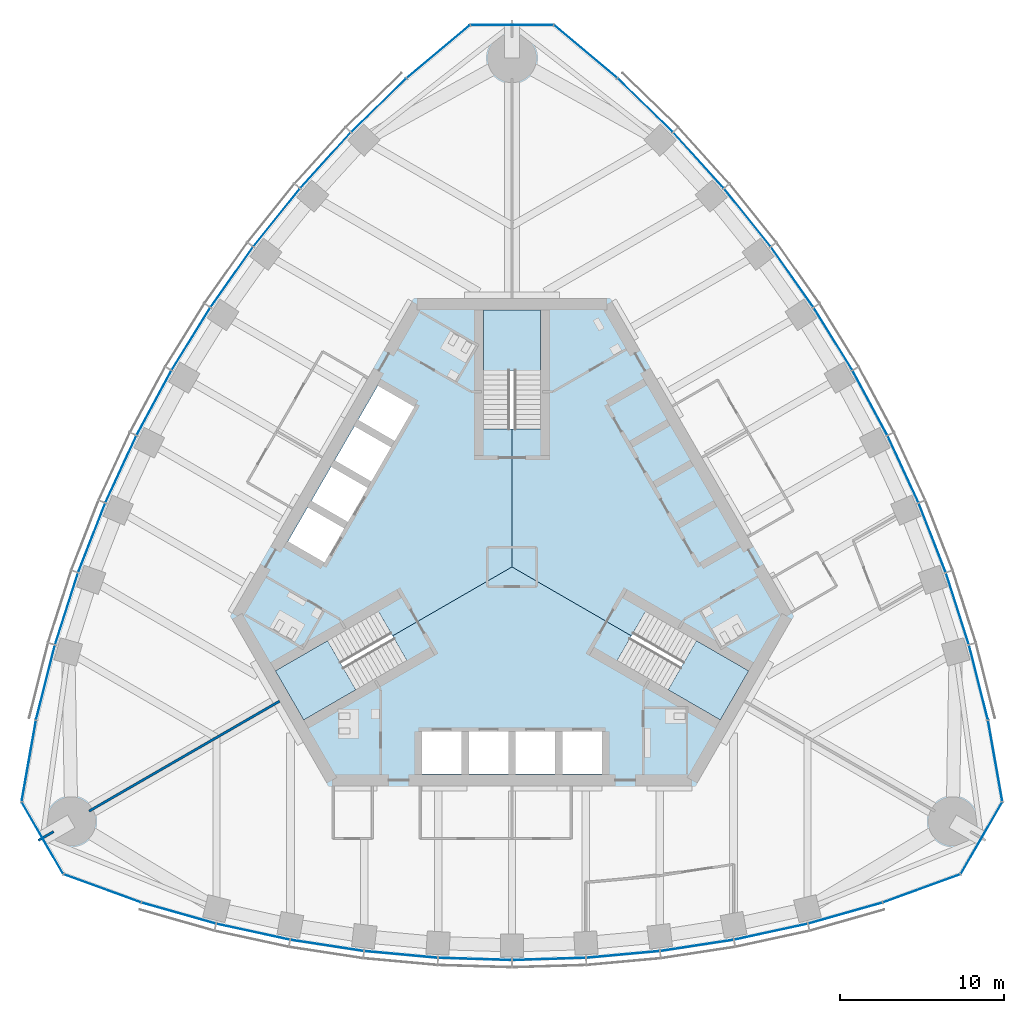
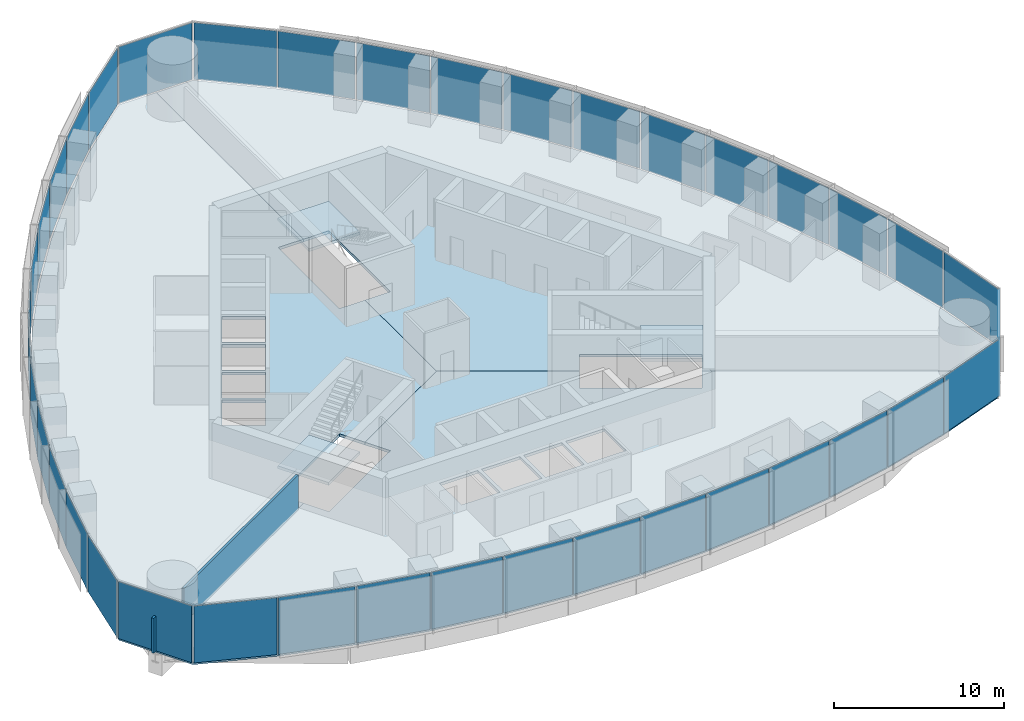
# One storey, part 7 of 14: 39 plates, 6 slabs, 2 walls, 9 elements without a shape of their own.
"""IFC4 building model written with IfcOpenShell, lengths in metres."""

from ifc_helpers import new_model, si_unit, direction, frame, frame_2d, origin, origin_2d, place, context, subcontext, project, spatial, polyline, rectangle, outline, extrude, material, layer, layer_set, type_object, element, aggregate, save


model = new_model("IFC4")

# Units and contexts
model_context = context("Model", 3, precision=1e-05, world=origin(), true_north=direction((0.0, 1.0)))
body_context = subcontext(model_context, "Body", "Model", "MODEL_VIEW")
ifc_project = project(units=[si_unit("LENGTHUNIT", "METRE"), si_unit("AREAUNIT", "SQUARE_METRE"), si_unit("VOLUMEUNIT", "CUBIC_METRE"), si_unit("PLANEANGLEUNIT", "RADIAN"), si_unit("MASSUNIT", "GRAM", prefix="KILO")], contexts=[model_context])

# Site, building, storey
site_placement = place(None, origin())
site = spatial("IfcSite", under=ifc_project, at=site_placement, CompositionType="ELEMENT")
building_placement = place(site_placement, origin())
building = spatial("IfcBuilding", under=site, at=building_placement, Name="Trefoil Bronze Tower", CompositionType="ELEMENT")
storey_placement = place(building_placement, frame((0.0, 0.0, 280.5)))
storey = spatial("IfcBuildingStorey", under=building, at=storey_placement, Name="L64", CompositionType="ELEMENT", Elevation=280.5)

# Curtain wall, plates
ifc_material_1 = material(Name="Tinted solar-control glass", Category="glass")
curtain_wall_type_1 = type_object("IfcCurtainWallType", Name="Bronze office curtain wall", PredefinedType="USERDEFINED", material=ifc_material_1)
curtain_wall_1_placement = place(storey_placement, origin())
curtain_wall_1 = element("IfcCurtainWall", 1, at=curtain_wall_1_placement, inside=storey, type_object=curtain_wall_type_1, Name="CW-A L64 F1", ObjectType="CURTAIN WALL", PredefinedType="USERDEFINED")
ifc_material_2 = material(Name="Tinted solar-control glass", Category="glass")
ifc_layer_1 = layer(ifc_material_2, 0.030029296875)
ifc_layer_set_1 = layer_set([ifc_layer_1], Name="Bronze office curtain wall glass panel")
plate_type_1 = type_object("IfcPlateType", Name="Bronze office curtain wall glass panel", PredefinedType="CURTAIN_PANEL", material=ifc_layer_set_1)
plate_1_placement = place(storey_placement, frame((-20.301513671875, -21.092529296875, 0.0), z_axis=(0.0, 0.0, 1.0), x_axis=(0.962097746943, -0.272704831875, 0.0)))
plate_1 = element("IfcPlate", 2, at=plate_1_placement, type_object=plate_type_1, Name="CW-A L64 F1 panel 1", PredefinedType="CURTAIN_PANEL", context=body_context, shape_type="SweptSolid", body=[
    extrude(rectangle(XDim=4.6474609375, YDim=0.030029296875, at=origin_2d()), origin(), (0.0, 0.0, 1.0), 4.080078125),
])
plate_2_placement = place(storey_placement, frame((-15.771240234375, -22.226318359375, 0.0), z_axis=(0.0, 0.0, 1.0), x_axis=(0.977303138829, -0.211845639168, 0.0)))
plate_2 = element("IfcPlate", 3, at=plate_2_placement, type_object=plate_type_1, Name="CW-A L64 F1 panel 2", PredefinedType="CURTAIN_PANEL", context=body_context, shape_type="SweptSolid", body=[
    extrude(rectangle(XDim=4.5244140625, YDim=0.030029296875, at=origin_2d()), origin(), (0.0, 0.0, 1.0), 4.080078125),
])
plate_3_placement = place(storey_placement, frame((-11.26513671875, -23.0595703125, 0.0), z_axis=(0.0, 0.0, 1.0), x_axis=(0.988485337216, -0.151316681529, 0.0)))
plate_3 = element("IfcPlate", 4, at=plate_3_placement, type_object=plate_type_1, Name="CW-A L64 F1 panel 3", PredefinedType="CURTAIN_PANEL", context=body_context, shape_type="SweptSolid", body=[
    extrude(rectangle(XDim=4.472412109375, YDim=0.030029296875, at=origin_2d()), origin(), (0.0, 0.0, 1.0), 4.080078125),
])
plate_4_placement = place(storey_placement, frame((-6.759033203125, -23.60986328125, 0.0), z_axis=(0.0, 0.0, 1.0), x_axis=(0.99587011625, -0.090789380212, 0.0)))
plate_4 = element("IfcPlate", 5, at=plate_4_placement, type_object=plate_type_1, Name="CW-A L64 F1 panel 4", PredefinedType="CURTAIN_PANEL", context=body_context, shape_type="SweptSolid", body=[
    extrude(rectangle(XDim=4.438720703125, YDim=0.030029296875, at=origin_2d()), origin(), (0.0, 0.0, 1.0), 4.080078125),
])
plate_5_placement = place(storey_placement, frame((-2.2529296875, -23.883544921875, 0.0), z_axis=(0.0, 0.0, 1.0), x_axis=(0.999541969785, -0.030263024264, 0.0)))
plate_5 = element("IfcPlate", 6, at=plate_5_placement, type_object=plate_type_1, Name="CW-A L64 F1 panel 5", PredefinedType="CURTAIN_PANEL", context=body_context, shape_type="SweptSolid", body=[
    extrude(rectangle(XDim=4.422119140625, YDim=0.030029296875, at=origin_2d()), origin(), (0.0, 0.0, 1.0), 4.080078125),
])
plate_6_placement = place(storey_placement, frame((2.2529296875, -23.883544921875, 0.0), z_axis=(0.0, 0.0, 1.0), x_axis=(0.999541969785, 0.030263024264, 0.0)))
plate_6 = element("IfcPlate", 7, at=plate_6_placement, type_object=plate_type_1, Name="CW-A L64 F1 panel 6", PredefinedType="CURTAIN_PANEL", context=body_context, shape_type="SweptSolid", body=[
    extrude(rectangle(XDim=4.422119140625, YDim=0.030029296875, at=origin_2d()), origin(), (0.0, 0.0, 1.0), 4.080078125),
])
plate_7_placement = place(storey_placement, frame((6.759033203125, -23.60986328125, 0.0), z_axis=(0.0, 0.0, 1.0), x_axis=(0.99587011625, 0.090789380212, 0.0)))
plate_7 = element("IfcPlate", 8, at=plate_7_placement, type_object=plate_type_1, Name="CW-A L64 F1 panel 7", PredefinedType="CURTAIN_PANEL", context=body_context, shape_type="SweptSolid", body=[
    extrude(rectangle(XDim=4.438720703125, YDim=0.030029296875, at=origin_2d()), origin(), (0.0, 0.0, 1.0), 4.080078125),
])
plate_8_placement = place(storey_placement, frame((11.26513671875, -23.0595703125, 0.0), z_axis=(0.0, 0.0, 1.0), x_axis=(0.988485337216, 0.151316681529, 0.0)))
plate_8 = element("IfcPlate", 9, at=plate_8_placement, type_object=plate_type_1, Name="CW-A L64 F1 panel 8", PredefinedType="CURTAIN_PANEL", context=body_context, shape_type="SweptSolid", body=[
    extrude(rectangle(XDim=4.472412109375, YDim=0.030029296875, at=origin_2d()), origin(), (0.0, 0.0, 1.0), 4.080078125),
])
plate_9_placement = place(storey_placement, frame((15.771240234375, -22.226318359375, 0.0), z_axis=(0.0, 0.0, 1.0), x_axis=(0.977303138829, 0.211845639168, 0.0)))
plate_9 = element("IfcPlate", 10, at=plate_9_placement, type_object=plate_type_1, Name="CW-A L64 F1 panel 9", PredefinedType="CURTAIN_PANEL", context=body_context, shape_type="SweptSolid", body=[
    extrude(rectangle(XDim=4.5244140625, YDim=0.030029296875, at=origin_2d()), origin(), (0.0, 0.0, 1.0), 4.080078125),
])
plate_10_placement = place(storey_placement, frame((20.301513671875, -21.092529296875, 0.0), z_axis=(0.0, 0.0, 1.0), x_axis=(0.962097746943, 0.272704831875, 0.0)))
plate_10 = element("IfcPlate", 11, at=plate_10_placement, type_object=plate_type_1, Name="CW-A L64 F1 panel 10", PredefinedType="CURTAIN_PANEL", context=body_context, shape_type="SweptSolid", body=[
    extrude(rectangle(XDim=4.6474609375, YDim=0.030029296875, at=origin_2d()), origin(), (0.0, 0.0, 1.0), 4.080078125),
])
aggregate(curtain_wall_1, [plate_1, plate_2, plate_3, plate_4, plate_5, plate_6, plate_7, plate_8, plate_9, plate_10])

curtain_wall_2_placement = place(storey_placement, origin())
curtain_wall_2 = element("IfcCurtainWall", 12, at=curtain_wall_2_placement, inside=storey, type_object=curtain_wall_type_1, Name="CW-A L64 F2", ObjectType="CURTAIN WALL", PredefinedType="USERDEFINED")
plate_11_placement = place(storey_placement, frame((28.417236328125, -7.035400390625, 0.0), z_axis=(0.0, 0.0, 1.0), x_axis=(-0.244879561333, 0.969553505713, 0.0)))
plate_11 = element("IfcPlate", 13, at=plate_11_placement, type_object=plate_type_1, Name="CW-A L64 F2 panel 1", PredefinedType="CURTAIN_PANEL", context=body_context, shape_type="SweptSolid", body=[
    extrude(rectangle(XDim=4.6474609375, YDim=0.030029296875, at=origin_2d()), origin(), (0.0, 0.0, 1.0), 4.080078125),
])
plate_12_placement = place(storey_placement, frame((27.134033203125, -2.545166015625, 0.0), z_axis=(0.0, 0.0, 1.0), x_axis=(-0.305187864214, 0.952292165009, 0.0)))
plate_12 = element("IfcPlate", 14, at=plate_12_placement, type_object=plate_type_1, Name="CW-A L64 F2 panel 2", PredefinedType="CURTAIN_PANEL", context=body_context, shape_type="SweptSolid", body=[
    extrude(rectangle(XDim=4.5244140625, YDim=0.030029296875, at=origin_2d()), origin(), (0.0, 0.0, 1.0), 4.080078125),
])
plate_13_placement = place(storey_placement, frame((25.602783203125, 1.77392578125, 0.0), z_axis=(0.0, 0.0, 1.0), x_axis=(-0.363198578387, 0.931711754062, 0.0)))
plate_13 = element("IfcPlate", 15, at=plate_13_placement, type_object=plate_type_1, Name="CW-A L64 F2 panel 3", PredefinedType="CURTAIN_PANEL", context=body_context, shape_type="SweptSolid", body=[
    extrude(rectangle(XDim=4.472412109375, YDim=0.030029296875, at=origin_2d()), origin(), (0.0, 0.0, 1.0), 4.080078125),
])
plate_14_placement = place(storey_placement, frame((23.826171875, 5.951416015625, 0.0), z_axis=(0.0, 0.0, 1.0), x_axis=(-0.419309148468, 0.907843509649, 0.0)))
plate_14 = element("IfcPlate", 16, at=plate_14_placement, type_object=plate_type_1, Name="CW-A L64 F2 panel 4", PredefinedType="CURTAIN_PANEL", context=body_context, shape_type="SweptSolid", body=[
    extrude(rectangle(XDim=4.438720703125, YDim=0.030029296875, at=origin_2d()), origin(), (0.0, 0.0, 1.0), 4.080078125),
])
plate_15_placement = place(storey_placement, frame((21.81005859375, 9.990478515625, 0.0), z_axis=(0.0, 0.0, 1.0), x_axis=(-0.473562437085, 0.880760250115, 0.0)))
plate_15 = element("IfcPlate", 17, at=plate_15_placement, type_object=plate_type_1, Name="CW-A L64 F2 panel 5", PredefinedType="CURTAIN_PANEL", context=body_context, shape_type="SweptSolid", body=[
    extrude(rectangle(XDim=4.422119140625, YDim=0.030029296875, at=origin_2d()), origin(), (0.0, 0.0, 1.0), 4.080078125),
])
plate_16_placement = place(storey_placement, frame((19.55712890625, 13.892822265625, 0.0), z_axis=(0.0, 0.0, 1.0), x_axis=(-0.525979532701, 0.850497225851, 0.0)))
plate_16 = element("IfcPlate", 18, at=plate_16_placement, type_object=plate_type_1, Name="CW-A L64 F2 panel 6", PredefinedType="CURTAIN_PANEL", context=body_context, shape_type="SweptSolid", body=[
    extrude(rectangle(XDim=4.422119140625, YDim=0.030029296875, at=origin_2d()), origin(), (0.0, 0.0, 1.0), 4.080078125),
])
plate_17_placement = place(storey_placement, frame((17.067138671875, 17.658447265625, 0.0), z_axis=(0.0, 0.0, 1.0), x_axis=(-0.576560967783, 0.817054129437, 0.0)))
plate_17 = element("IfcPlate", 19, at=plate_17_placement, type_object=plate_type_1, Name="CW-A L64 F2 panel 7", PredefinedType="CURTAIN_PANEL", context=body_context, shape_type="SweptSolid", body=[
    extrude(rectangle(XDim=4.438720703125, YDim=0.030029296875, at=origin_2d()), origin(), (0.0, 0.0, 1.0), 4.080078125),
])
plate_18_placement = place(storey_placement, frame((14.337646484375, 21.28564453125, 0.0), z_axis=(0.0, 0.0, 1.0), x_axis=(-0.625286758829, 0.780395072533, 0.0)))
plate_18 = element("IfcPlate", 20, at=plate_18_placement, type_object=plate_type_1, Name="CW-A L64 F2 panel 8", PredefinedType="CURTAIN_PANEL", context=body_context, shape_type="SweptSolid", body=[
    extrude(rectangle(XDim=4.472412109375, YDim=0.030029296875, at=origin_2d()), origin(), (0.0, 0.0, 1.0), 4.080078125),
])
plate_19_placement = place(storey_placement, frame((11.36279296875, 24.771484375, 0.0), z_axis=(0.0, 0.0, 1.0), x_axis=(-0.672115274615, 0.74044652584, 0.0)))
plate_19 = element("IfcPlate", 21, at=plate_19_placement, type_object=plate_type_1, Name="CW-A L64 F2 panel 9", PredefinedType="CURTAIN_PANEL", context=body_context, shape_type="SweptSolid", body=[
    extrude(rectangle(XDim=4.5244140625, YDim=0.030029296875, at=origin_2d()), origin(), (0.0, 0.0, 1.0), 4.080078125),
])
plate_20_placement = place(storey_placement, frame((8.115966796875, 28.127685546875, 0.0), z_axis=(0.0, 0.0, 1.0), x_axis=(-0.71721818561, 0.696848673839, 0.0)))
plate_20 = element("IfcPlate", 22, at=plate_20_placement, type_object=plate_type_1, Name="CW-A L64 F2 panel 10", PredefinedType="CURTAIN_PANEL", context=body_context, shape_type="SweptSolid", body=[
    extrude(rectangle(XDim=4.6474609375, YDim=0.030029296875, at=origin_2d()), origin(), (0.0, 0.0, 1.0), 4.080078125),
])
aggregate(curtain_wall_2, [plate_11, plate_12, plate_13, plate_14, plate_15, plate_16, plate_17, plate_18, plate_19, plate_20])

curtain_wall_3_placement = place(storey_placement, origin())
curtain_wall_3 = element("IfcCurtainWall", 23, at=curtain_wall_3_placement, inside=storey, type_object=curtain_wall_type_1, Name="CW-A L64 F3", ObjectType="CURTAIN WALL", PredefinedType="USERDEFINED")
plate_21_placement = place(storey_placement, frame((-8.115966796875, 28.127685546875, 0.0), z_axis=(0.0, 0.0, 1.0), x_axis=(-0.71721818561, -0.696848673839, 0.0)))
plate_21 = element("IfcPlate", 24, at=plate_21_placement, type_object=plate_type_1, Name="CW-A L64 F3 panel 1", PredefinedType="CURTAIN_PANEL", context=body_context, shape_type="SweptSolid", body=[
    extrude(rectangle(XDim=4.6474609375, YDim=0.030029296875, at=origin_2d()), origin(), (0.0, 0.0, 1.0), 4.080078125),
])
plate_22_placement = place(storey_placement, frame((-11.36279296875, 24.771484375, 0.0), z_axis=(0.0, 0.0, 1.0), x_axis=(-0.672115274615, -0.74044652584, 0.0)))
plate_22 = element("IfcPlate", 25, at=plate_22_placement, type_object=plate_type_1, Name="CW-A L64 F3 panel 2", PredefinedType="CURTAIN_PANEL", context=body_context, shape_type="SweptSolid", body=[
    extrude(rectangle(XDim=4.5244140625, YDim=0.030029296875, at=origin_2d()), origin(), (0.0, 0.0, 1.0), 4.080078125),
])
plate_23_placement = place(storey_placement, frame((-14.337646484375, 21.28564453125, 0.0), z_axis=(0.0, 0.0, 1.0), x_axis=(-0.625286758829, -0.780395072533, 0.0)))
plate_23 = element("IfcPlate", 26, at=plate_23_placement, type_object=plate_type_1, Name="CW-A L64 F3 panel 3", PredefinedType="CURTAIN_PANEL", context=body_context, shape_type="SweptSolid", body=[
    extrude(rectangle(XDim=4.472412109375, YDim=0.030029296875, at=origin_2d()), origin(), (0.0, 0.0, 1.0), 4.080078125),
])
plate_24_placement = place(storey_placement, frame((-17.067138671875, 17.658447265625, 0.0), z_axis=(0.0, 0.0, 1.0), x_axis=(-0.576560967783, -0.817054129437, 0.0)))
plate_24 = element("IfcPlate", 27, at=plate_24_placement, type_object=plate_type_1, Name="CW-A L64 F3 panel 4", PredefinedType="CURTAIN_PANEL", context=body_context, shape_type="SweptSolid", body=[
    extrude(rectangle(XDim=4.438720703125, YDim=0.030029296875, at=origin_2d()), origin(), (0.0, 0.0, 1.0), 4.080078125),
])
plate_25_placement = place(storey_placement, frame((-19.55712890625, 13.892822265625, 0.0), z_axis=(0.0, 0.0, 1.0), x_axis=(-0.525979532701, -0.850497225851, 0.0)))
plate_25 = element("IfcPlate", 28, at=plate_25_placement, type_object=plate_type_1, Name="CW-A L64 F3 panel 5", PredefinedType="CURTAIN_PANEL", context=body_context, shape_type="SweptSolid", body=[
    extrude(rectangle(XDim=4.422119140625, YDim=0.030029296875, at=origin_2d()), origin(), (0.0, 0.0, 1.0), 4.080078125),
])
plate_26_placement = place(storey_placement, frame((-21.81005859375, 9.990478515625, 0.0), z_axis=(0.0, 0.0, 1.0), x_axis=(-0.473562437085, -0.880760250115, 0.0)))
plate_26 = element("IfcPlate", 29, at=plate_26_placement, type_object=plate_type_1, Name="CW-A L64 F3 panel 6", PredefinedType="CURTAIN_PANEL", context=body_context, shape_type="SweptSolid", body=[
    extrude(rectangle(XDim=4.422119140625, YDim=0.030029296875, at=origin_2d()), origin(), (0.0, 0.0, 1.0), 4.080078125),
])
plate_27_placement = place(storey_placement, frame((-23.826171875, 5.951416015625, 0.0), z_axis=(0.0, 0.0, 1.0), x_axis=(-0.419309148468, -0.907843509649, 0.0)))
plate_27 = element("IfcPlate", 30, at=plate_27_placement, type_object=plate_type_1, Name="CW-A L64 F3 panel 7", PredefinedType="CURTAIN_PANEL", context=body_context, shape_type="SweptSolid", body=[
    extrude(rectangle(XDim=4.438720703125, YDim=0.030029296875, at=origin_2d()), origin(), (0.0, 0.0, 1.0), 4.080078125),
])
plate_28_placement = place(storey_placement, frame((-25.602783203125, 1.77392578125, 0.0), z_axis=(0.0, 0.0, 1.0), x_axis=(-0.363198578387, -0.931711754062, 0.0)))
plate_28 = element("IfcPlate", 31, at=plate_28_placement, type_object=plate_type_1, Name="CW-A L64 F3 panel 8", PredefinedType="CURTAIN_PANEL", context=body_context, shape_type="SweptSolid", body=[
    extrude(rectangle(XDim=4.472412109375, YDim=0.030029296875, at=origin_2d()), origin(), (0.0, 0.0, 1.0), 4.080078125),
])
plate_29_placement = place(storey_placement, frame((-27.134033203125, -2.545166015625, 0.0), z_axis=(0.0, 0.0, 1.0), x_axis=(-0.305187864214, -0.952292165009, 0.0)))
plate_29 = element("IfcPlate", 32, at=plate_29_placement, type_object=plate_type_1, Name="CW-A L64 F3 panel 9", PredefinedType="CURTAIN_PANEL", context=body_context, shape_type="SweptSolid", body=[
    extrude(rectangle(XDim=4.5244140625, YDim=0.030029296875, at=origin_2d()), origin(), (0.0, 0.0, 1.0), 4.080078125),
])
plate_30_placement = place(storey_placement, frame((-28.417236328125, -7.035400390625, 0.0), z_axis=(0.0, 0.0, 1.0), x_axis=(-0.244879561333, -0.969553505713, 0.0)))
plate_30 = element("IfcPlate", 33, at=plate_30_placement, type_object=plate_type_1, Name="CW-A L64 F3 panel 10", PredefinedType="CURTAIN_PANEL", context=body_context, shape_type="SweptSolid", body=[
    extrude(rectangle(XDim=4.6474609375, YDim=0.030029296875, at=origin_2d()), origin(), (0.0, 0.0, 1.0), 4.080078125),
])
aggregate(curtain_wall_3, [plate_21, plate_22, plate_23, plate_24, plate_25, plate_26, plate_27, plate_28, plate_29, plate_30])

ifc_material_3 = material(Name="Tinted solar-control glass", Category="glass")
curtain_wall_type_2 = type_object("IfcCurtainWallType", Name="Bronze rounded corner curtain wall", PredefinedType="USERDEFINED", material=ifc_material_3)
curtain_wall_4_placement = place(storey_placement, origin())
curtain_wall_4 = element("IfcCurtainWall", 34, at=curtain_wall_4_placement, inside=storey, type_object=curtain_wall_type_2, Name="CW-B L64 K1", ObjectType="CURTAIN WALL", PredefinedType="USERDEFINED")
ifc_material_4 = material(Name="Tinted solar-control glass", Category="glass")
ifc_layer_2 = layer(ifc_material_4, 0.030029296875)
ifc_layer_set_2 = layer_set([ifc_layer_2], Name="Bronze rounded corner curtain wall glass panel")
plate_type_2 = type_object("IfcPlateType", Name="Bronze rounded corner curtain wall glass panel", PredefinedType="CURTAIN_PANEL", material=ifc_layer_set_2)
plate_31_placement = place(storey_placement, frame((24.939453125, -19.587646484375, 0.0), z_axis=(0.0, 0.0, 1.0), x_axis=(0.939692620786, 0.342020143326, 0.0)))
plate_31 = element("IfcPlate", 35, at=plate_31_placement, type_object=plate_type_2, Name="CW-B L64 K1 panel 1", PredefinedType="CURTAIN_PANEL", context=body_context, shape_type="SweptSolid", body=[
    extrude(rectangle(XDim=4.956298828125, YDim=0.030029296875, at=origin_2d()), origin(), (0.0, 0.0, 1.0), 4.080078125),
])
plate_32_placement = place(storey_placement, frame((28.602783203125, -16.513916015625, 0.0), z_axis=(0.0, 0.0, 1.0), x_axis=(0.5, 0.866025403784, 0.0)))
plate_32 = element("IfcPlate", 36, at=plate_32_placement, type_object=plate_type_2, Name="CW-B L64 K1 panel 2", PredefinedType="CURTAIN_PANEL", context=body_context, shape_type="SweptSolid", body=[
    extrude(rectangle(XDim=4.956298828125, YDim=0.030029296875, at=origin_2d()), origin(), (0.0, 0.0, 1.0), 4.080078125),
])
plate_33_placement = place(storey_placement, frame((29.43310546875, -11.80419921875, 0.0), z_axis=(0.0, 0.0, 1.0), x_axis=(-0.173648177667, 0.984807753012, 0.0)))
plate_33 = element("IfcPlate", 37, at=plate_33_placement, type_object=plate_type_2, Name="CW-B L64 K1 panel 3", PredefinedType="CURTAIN_PANEL", context=body_context, shape_type="SweptSolid", body=[
    extrude(rectangle(XDim=4.956298828125, YDim=0.030029296875, at=origin_2d()), origin(), (0.0, 0.0, 1.0), 4.080078125),
])
aggregate(curtain_wall_4, [plate_31, plate_32, plate_33])

curtain_wall_5_placement = place(storey_placement, origin())
curtain_wall_5 = element("IfcCurtainWall", 38, at=curtain_wall_5_placement, inside=storey, type_object=curtain_wall_type_2, Name="CW-B L64 K2", ObjectType="CURTAIN WALL", PredefinedType="USERDEFINED")
plate_34_placement = place(storey_placement, frame((4.493896484375, 31.39208984375, 0.0), z_axis=(0.0, 0.0, 1.0), x_axis=(-0.766044443119, 0.642787609687, 0.0)))
plate_34 = element("IfcPlate", 39, at=plate_34_placement, type_object=plate_type_2, Name="CW-B L64 K2 panel 1", PredefinedType="CURTAIN_PANEL", context=body_context, shape_type="SweptSolid", body=[
    extrude(rectangle(XDim=4.956298828125, YDim=0.030029296875, at=origin_2d()), origin(), (0.0, 0.0, 1.0), 4.080078125),
])
plate_35_placement = place(storey_placement, frame((0.0, 33.027587890625, 0.0), z_axis=(0.0, 0.0, 1.0), x_axis=(-1.0, 0.0, 0.0)))
plate_35 = element("IfcPlate", 40, at=plate_35_placement, type_object=plate_type_2, Name="CW-B L64 K2 panel 2", PredefinedType="CURTAIN_PANEL", context=body_context, shape_type="SweptSolid", body=[
    extrude(rectangle(XDim=4.956298828125, YDim=0.030029296875, at=origin_2d()), origin(), (0.0, 0.0, 1.0), 4.080078125),
])
plate_36_placement = place(storey_placement, frame((-4.493896484375, 31.39208984375, 0.0), z_axis=(0.0, 0.0, 1.0), x_axis=(-0.766044443119, -0.642787609687, 0.0)))
plate_36 = element("IfcPlate", 41, at=plate_36_placement, type_object=plate_type_2, Name="CW-B L64 K2 panel 3", PredefinedType="CURTAIN_PANEL", context=body_context, shape_type="SweptSolid", body=[
    extrude(rectangle(XDim=4.956298828125, YDim=0.030029296875, at=origin_2d()), origin(), (0.0, 0.0, 1.0), 4.080078125),
])
aggregate(curtain_wall_5, [plate_34, plate_35, plate_36])

curtain_wall_6_placement = place(storey_placement, origin())
curtain_wall_6 = element("IfcCurtainWall", 42, at=curtain_wall_6_placement, inside=storey, type_object=curtain_wall_type_2, Name="CW-B L64 K3", ObjectType="CURTAIN WALL", PredefinedType="USERDEFINED")
plate_37_placement = place(storey_placement, frame((-29.43310546875, -11.80419921875, 0.0), z_axis=(0.0, 0.0, 1.0), x_axis=(-0.173648177667, -0.984807753012, 0.0)))
plate_37 = element("IfcPlate", 43, at=plate_37_placement, type_object=plate_type_2, Name="CW-B L64 K3 panel 1", PredefinedType="CURTAIN_PANEL", context=body_context, shape_type="SweptSolid", body=[
    extrude(rectangle(XDim=4.956298828125, YDim=0.030029296875, at=origin_2d()), origin(), (0.0, 0.0, 1.0), 4.080078125),
])
plate_38_placement = place(storey_placement, frame((-28.602783203125, -16.513916015625, 0.0), z_axis=(0.0, 0.0, 1.0), x_axis=(0.5, -0.866025403784, 0.0)))
plate_38 = element("IfcPlate", 44, at=plate_38_placement, type_object=plate_type_2, Name="CW-B L64 K3 panel 2", PredefinedType="CURTAIN_PANEL", context=body_context, shape_type="SweptSolid", body=[
    extrude(rectangle(XDim=4.956298828125, YDim=0.030029296875, at=origin_2d()), origin(), (0.0, 0.0, 1.0), 4.080078125),
])
plate_39_placement = place(storey_placement, frame((-24.939453125, -19.587646484375, 0.0), z_axis=(0.0, 0.0, 1.0), x_axis=(0.939692620786, -0.342020143326, 0.0)))
plate_39 = element("IfcPlate", 45, at=plate_39_placement, type_object=plate_type_2, Name="CW-B L64 K3 panel 3", PredefinedType="CURTAIN_PANEL", context=body_context, shape_type="SweptSolid", body=[
    extrude(rectangle(XDim=4.956298828125, YDim=0.030029296875, at=origin_2d()), origin(), (0.0, 0.0, 1.0), 4.080078125),
])
aggregate(curtain_wall_6, [plate_37, plate_38, plate_39])

# Slabs
ifc_material_5 = material(Name="Concrete B30", Category="concrete")
ifc_layer_3 = layer(ifc_material_5, 0.199951171875)
ifc_layer_set_3 = layer_set([ifc_layer_3], Name="Floor slab 200")
slab_type_1 = type_object("IfcSlabType", Name="Floor slab 200", PredefinedType="FLOOR", material=ifc_layer_set_3)
slab_1_placement = place(storey_placement, frame((0.0, 0.0, -0.199951171875)))
element("IfcSlab", 46, at=slab_1_placement, inside=storey, type_object=slab_type_1, Name="Floor slab L64 face 1", PredefinedType="FLOOR", context=body_context, shape_type="SweptSolid", body=[
    extrude(outline(polyline([(13.5, -22.6162109375), (9.0, -23.30517578125), (4.5, -23.71533203125), (0.0, -23.8515625), (-4.5, -23.71533203125), (-9.0, -23.30517578125), (-13.5, -22.6162109375), (-18.0, -21.640869140625), (-22.54833984375, -20.3515625), (-27.261962890625, -18.635986328125), (-28.51611328125, -16.4638671875), (-13.510009765625, -7.800048828125), (-12.6474609375, -9.2939453125), (-6.412109375, -5.69384765625), (-7.274658203125, -4.199951171875), (0.0, 0.0), (7.274658203125, -4.199951171875), (6.412109375, -5.69384765625), (12.6474609375, -9.2939453125), (13.510009765625, -7.800048828125), (28.51611328125, -16.4638671875), (27.261962890625, -18.635986328125), (22.54833984375, -20.3515625), (18.0, -21.640869140625), (13.5, -22.6162109375)]), holes=[polyline([(-5.574951171875, -10.02490234375), (-2.97509765625, -10.02490234375), (-2.97509765625, -12.60009765625), (-5.574951171875, -12.60009765625), (-5.574951171875, -10.02490234375)]), polyline([(-2.72509765625, -10.02490234375), (-0.125, -10.02490234375), (-0.125, -12.60009765625), (-2.72509765625, -12.60009765625), (-2.72509765625, -10.02490234375)]), polyline([(0.125, -10.02490234375), (2.72509765625, -10.02490234375), (2.72509765625, -12.60009765625), (0.125, -12.60009765625), (0.125, -10.02490234375)]), polyline([(2.97509765625, -10.02490234375), (5.574951171875, -10.02490234375), (5.574951171875, -12.60009765625), (2.97509765625, -12.60009765625), (2.97509765625, -10.02490234375)])]), origin(), (0.0, 0.0, 1.0), 0.199951171875),
])
slab_2_placement = place(storey_placement, frame((0.0, 0.0, -0.199951171875)))
element("IfcSlab", 47, at=slab_2_placement, inside=storey, type_object=slab_type_1, Name="Floor slab L64 face 2", PredefinedType="FLOOR", context=body_context, shape_type="SweptSolid", body=[
    extrude(outline(polyline([(12.836181640625, 22.99951171875), (15.682861328125, 19.44677734375), (18.2880859375, 15.7548828125), (20.656005859375, 11.92578125), (22.7880859375, 7.96044921875), (24.682861328125, 3.8583984375), (26.336181640625, -0.38330078125), (27.741455078125, -4.76806640625), (28.899169921875, -9.3515625), (29.770263671875, -14.291748046875), (28.51611328125, -16.4638671875), (13.510009765625, -7.800048828125), (14.37255859375, -6.30615234375), (8.13720703125, -2.7060546875), (7.274658203125, -4.199951171875), (0.0, 0.0), (0.0, 8.39990234375), (1.72509765625, 8.39990234375), (1.72509765625, 15.60009765625), (0.0, 15.60009765625), (0.0, 32.927490234375), (2.508056640625, 32.927490234375), (6.350830078125, 29.703125), (9.741455078125, 26.408935546875), (12.836181640625, 22.99951171875)])), origin(), (0.0, 0.0, 1.0), 0.199951171875),
])
slab_3_placement = place(storey_placement, frame((0.0, 0.0, -0.199951171875)))
element("IfcSlab", 48, at=slab_3_placement, inside=storey, type_object=slab_type_1, Name="Floor slab L64 face 3", PredefinedType="FLOOR", context=body_context, shape_type="SweptSolid", body=[
    extrude(outline(polyline([(-26.336181640625, -0.38330078125), (-24.682861328125, 3.8583984375), (-22.7880859375, 7.96044921875), (-20.656005859375, 11.92578125), (-18.2880859375, 15.7548828125), (-15.682861328125, 19.44677734375), (-12.836181640625, 22.99951171875), (-9.741455078125, 26.408935546875), (-6.350830078125, 29.703125), (-2.508056640625, 32.927490234375), (0.0, 32.927490234375), (0.0, 15.60009765625), (-1.72509765625, 15.60009765625), (-1.72509765625, 8.39990234375), (0.0, 8.39990234375), (0.0, 0.0), (-7.274658203125, -4.199951171875), (-8.13720703125, -2.7060546875), (-14.37255859375, -6.30615234375), (-13.510009765625, -7.800048828125), (-28.51611328125, -16.4638671875), (-29.770263671875, -14.291748046875), (-28.899169921875, -9.3515625), (-27.741455078125, -4.76806640625), (-26.336181640625, -0.38330078125)]), holes=[polyline([(-5.894287109375, 9.840576171875), (-7.1943359375, 7.5888671875), (-9.42431640625, 8.87646484375), (-8.12451171875, 11.128173828125), (-5.894287109375, 9.840576171875)]), polyline([(-7.3193359375, 7.372314453125), (-8.619384765625, 5.120849609375), (-10.849365234375, 6.408203125), (-9.54931640625, 8.659912109375), (-7.3193359375, 7.372314453125)]), polyline([(-8.744384765625, 4.904296875), (-10.04443359375, 2.652587890625), (-12.2744140625, 3.940185546875), (-10.974365234375, 6.191650390625), (-8.744384765625, 4.904296875)]), polyline([(-10.16943359375, 2.43603515625), (-11.469482421875, 0.184326171875), (-13.699462890625, 1.471923828125), (-12.3994140625, 3.7236328125), (-10.16943359375, 2.43603515625)])]), origin(), (0.0, 0.0, 1.0), 0.199951171875),
])

# Stair, slab
ifc_material_6 = material(Name="Precast concrete B80", Category="concrete")
stair_type = type_object("IfcStairType", Name="Exit stair 26 risers", PredefinedType="HALF_TURN_STAIR", material=ifc_material_6)
stair_1_placement = place(storey_placement, origin())
stair_1 = element("IfcStair", 49, at=stair_1_placement, inside=storey, type_object=stair_type, Name="Stair ST1 L64", PredefinedType="HALF_TURN_STAIR")
ifc_material_7 = material(Name="Concrete B30", Category="concrete")
ifc_layer_4 = layer(ifc_material_7, 0.199951171875)
ifc_layer_set_4 = layer_set([ifc_layer_4], Name="Stair landing 200")
slab_type_2 = type_object("IfcSlabType", Name="Stair landing 200", PredefinedType="LANDING", material=ifc_layer_set_4)
slab_4_placement = place(storey_placement, frame((0.0, 0.0, 1.89990234375)))
slab_4 = element("IfcSlab", 50, at=slab_4_placement, type_object=slab_type_2, Name="ST1 landing 1", PredefinedType="LANDING", context=body_context, shape_type="SweptSolid", body=[
    extrude(outline(polyline([(9.512451171875, -7.48388671875), (12.69091796875, -9.31884765625), (14.415771484375, -6.3310546875), (11.237548828125, -4.49609375), (9.512451171875, -7.48388671875)])), origin(), (0.0, 0.0, 1.0), 0.2001953125),
])
aggregate(stair_1, [slab_4])

stair_2_placement = place(storey_placement, origin())
stair_2 = element("IfcStair", 51, at=stair_2_placement, inside=storey, type_object=stair_type, Name="Stair ST2 L64", PredefinedType="HALF_TURN_STAIR")
slab_5_placement = place(storey_placement, frame((0.0, 0.0, 1.89990234375)))
slab_5 = element("IfcSlab", 52, at=slab_5_placement, type_object=slab_type_2, Name="ST2 landing 1", PredefinedType="LANDING", context=body_context, shape_type="SweptSolid", body=[
    extrude(outline(polyline([(1.72509765625, 11.97998046875), (1.72509765625, 15.64990234375), (-1.72509765625, 15.64990234375), (-1.72509765625, 11.97998046875), (1.72509765625, 11.97998046875)])), origin(), (0.0, 0.0, 1.0), 0.2001953125),
])
aggregate(stair_2, [slab_5])

stair_3_placement = place(storey_placement, origin())
stair_3 = element("IfcStair", 53, at=stair_3_placement, inside=storey, type_object=stair_type, Name="Stair ST3 L64", PredefinedType="HALF_TURN_STAIR")
slab_6_placement = place(storey_placement, frame((0.0, 0.0, 1.89990234375)))
slab_6 = element("IfcSlab", 54, at=slab_6_placement, type_object=slab_type_2, Name="ST3 landing 1", PredefinedType="LANDING", context=body_context, shape_type="SweptSolid", body=[
    extrude(outline(polyline([(-11.237548828125, -4.49609375), (-14.415771484375, -6.3310546875), (-12.69091796875, -9.31884765625), (-9.512451171875, -7.48388671875), (-11.237548828125, -4.49609375)])), origin(), (0.0, 0.0, 1.0), 0.2001953125),
])
aggregate(stair_3, [slab_6])

# Walls
ifc_material_8 = material(Name="Gypsum board on steel studs", Category="steel")
ifc_layer_5 = layer(ifc_material_8, 0.14990234375)
ifc_layer_set_5 = layer_set([ifc_layer_5], Name="Party wall 150")
wall_type = type_object("IfcWallType", Name="Party wall 150", PredefinedType="PARTITIONING", material=ifc_layer_set_5)
wall_1_placement = place(storey_placement, frame((-14.159423828125, -8.175048828125, 0.0), z_axis=(0.0, 0.0, 1.0), x_axis=(-0.866026905467, -0.499997399001, 0.0)))
element("IfcWall", 55, at=wall_1_placement, inside=storey, type_object=wall_type, Name="Party wall K3 L64", PredefinedType="PARTITIONING", context=body_context, shape_type="SweptSolid", body=[
    extrude(rectangle(XDim=13.39990234375, YDim=0.14990234375, at=frame_2d((6.699951171875, 0.0))), origin(), (0.0, 0.0, 1.0), 2.5),
])
wall_2_placement = place(storey_placement, frame((-27.92919921875, -16.125, 0.0), z_axis=(0.0, 0.0, 1.0), x_axis=(-0.866086810508, -0.499893625349, 0.0)))
element("IfcWall", 56, at=wall_2_placement, inside=storey, type_object=wall_type, Name="Party wall K3 L64", PredefinedType="PARTITIONING", context=body_context, shape_type="SweptSolid", body=[
    extrude(rectangle(XDim=1.070068359375, YDim=0.14990234375, at=frame_2d((0.53515625, 0.0))), origin(), (0.0, 0.0, 1.0), 2.5),
])

save(model, "model.ifc")
